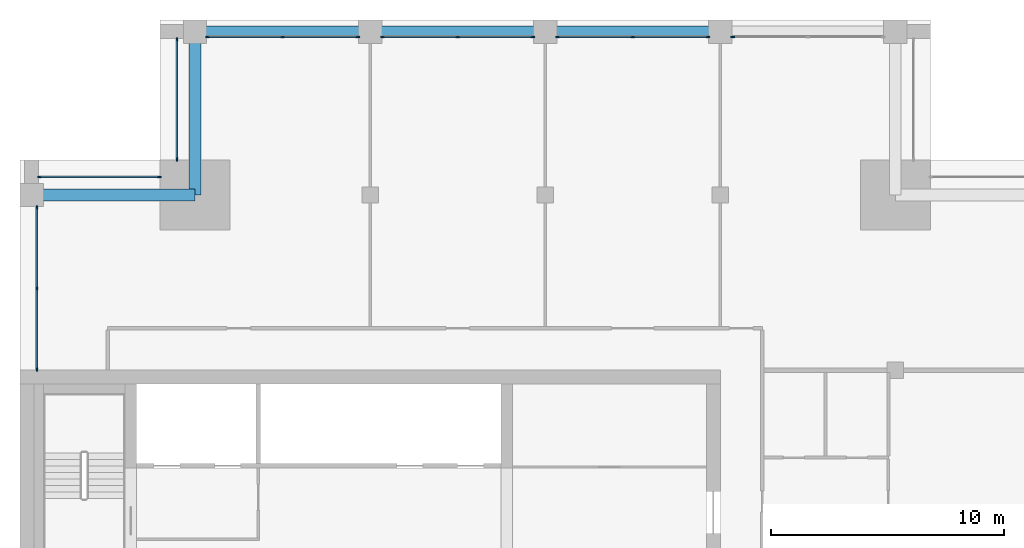
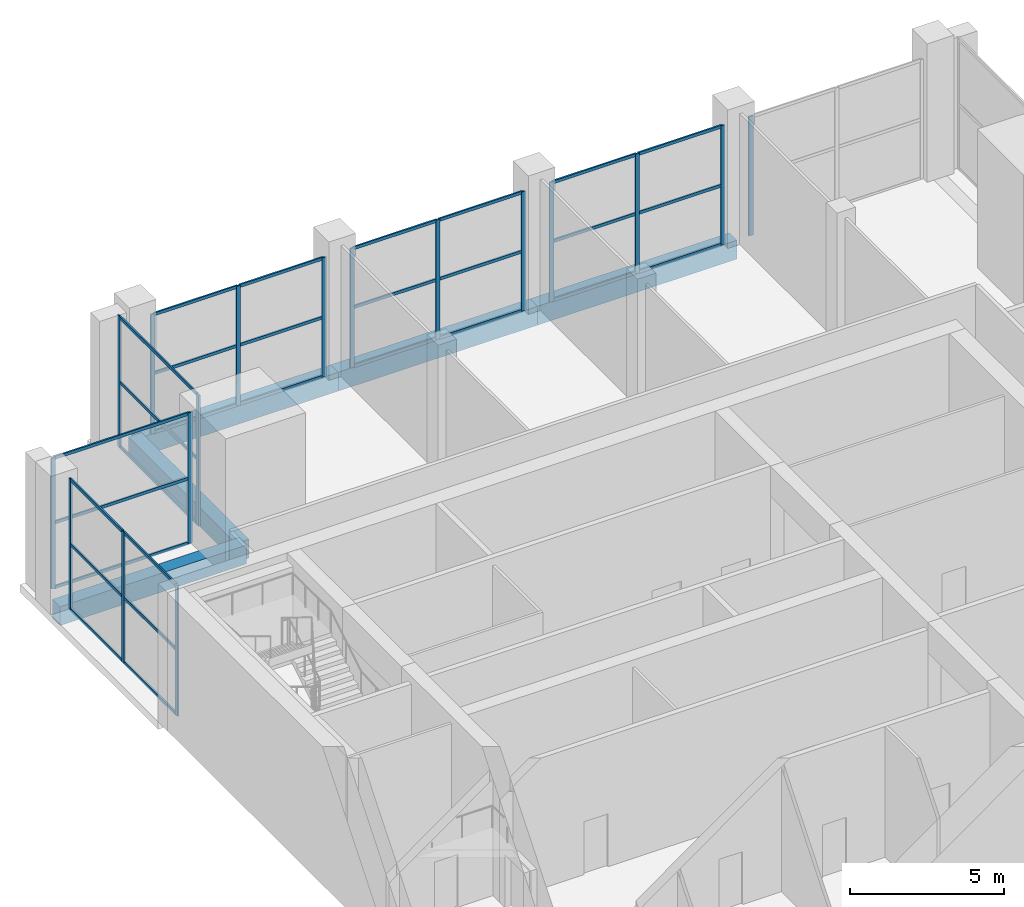
# One storey, part 5 of 15: 47 members, 5 beams, 7 elements without a shape of their own.
"""IFC4 building model written with IfcOpenShell, lengths in metres."""

from ifc_helpers import new_model, si_unit, direction, frame, origin, origin_2d, place, context, subcontext, project, spatial, rectangle, extrude, material, layer, layer_set, material_profile, profile_set, type_object, element, aggregate, save


model = new_model("IFC4")

# Units and contexts
model_context = context("Model", 3, precision=1e-05, world=origin(), true_north=direction((0.0, 1.0)))
body_context = subcontext(model_context, "Body", "Model", "MODEL_VIEW")
ifc_project = project(units=[si_unit("LENGTHUNIT", "METRE"), si_unit("AREAUNIT", "SQUARE_METRE"), si_unit("VOLUMEUNIT", "CUBIC_METRE"), si_unit("PLANEANGLEUNIT", "RADIAN"), si_unit("MASSUNIT", "GRAM", prefix="KILO")], contexts=[model_context])

# Site, building, storey
site_placement = place(None, origin())
site = spatial("IfcSite", under=ifc_project, at=site_placement, CompositionType="ELEMENT")
building_placement = place(site_placement, origin())
building = spatial("IfcBuilding", under=site, at=building_placement, Name="Tamorin Gate", CompositionType="ELEMENT")
storey_placement = place(building_placement, frame((0.0, 0.0, 292.199951171875)))
storey = spatial("IfcBuildingStorey", under=building, at=storey_placement, Name="L73", CompositionType="ELEMENT", Elevation=292.199951171875)

# Curtain wall, member
ifc_material_1 = material(Name="Aluminium mullions and transoms with clear glass", Category="aluminium")
ifc_layer = layer(ifc_material_1, 0.159912109375)
ifc_layer_set = layer_set([ifc_layer], Name="Curtain wall system CW3")
curtain_wall_type = type_object("IfcCurtainWallType", Name="Curtain wall system CW3", PredefinedType="NOTDEFINED", material=ifc_layer_set)
curtain_wall_1_placement = place(storey_placement, origin())
curtain_wall_1 = element("IfcCurtainWall", 1, at=curtain_wall_1_placement, inside=storey, type_object=curtain_wall_type, Name="Curtain wall", PredefinedType="NOTDEFINED")
ifc_material_2 = material(Name="Aluminium", Category="aluminium")
ifc_material_profile_1 = material_profile(ifc_material_2, rectangle(XDim=0.06005859375, YDim=0.159912109375, at=origin_2d()), Name="RECT 60x160")
ifc_profile_set_1 = profile_set([ifc_material_profile_1], Name="Aluminium")
member_type_1 = type_object("IfcMemberType", Name="Aluminium mullion 60x160", PredefinedType="MULLION", material=ifc_profile_set_1)
member_1_placement = place(storey_placement, frame((60.530029296875, 96.780029296875, 0.0), z_axis=(0.0, 0.0, 1.0), x_axis=(0.0, -1.0, 0.0)))
member_1 = element("IfcMember", 2, at=member_1_placement, type_object=member_type_1, Name="CW3 mullion 3", PredefinedType="MULLION", context=body_context, shape_type="SweptSolid", body=[
    extrude(rectangle(XDim=0.06005859375, YDim=0.159912109375, at=origin_2d()), origin(), (0.0, 0.0, 1.0), 4.75),
])
aggregate(curtain_wall_1, [member_1])

# Curtain wall, members
curtain_wall_2_placement = place(storey_placement, origin())
curtain_wall_2 = element("IfcCurtainWall", 3, at=curtain_wall_2_placement, inside=storey, type_object=curtain_wall_type, Name="Curtain wall", PredefinedType="NOTDEFINED")
member_2_placement = place(storey_placement, frame((59.469970703125, 96.780029296875, 0.0), z_axis=(0.0, 0.0, 1.0), x_axis=(0.0, -1.0, 0.0)))
member_2 = element("IfcMember", 4, at=member_2_placement, type_object=member_type_1, Name="CW3 mullion 1", PredefinedType="MULLION", context=body_context, shape_type="SweptSolid", body=[
    extrude(rectangle(XDim=0.06005859375, YDim=0.159912109375, at=origin_2d()), origin(), (0.0, 0.0, 1.0), 4.75),
])
member_3_placement = place(storey_placement, frame((56.25, 96.780029296875, 0.0), z_axis=(0.0, 0.0, 1.0), x_axis=(0.0, -1.0, 0.0)))
member_3 = element("IfcMember", 5, at=member_3_placement, type_object=member_type_1, Name="CW3 mullion 2", PredefinedType="MULLION", context=body_context, shape_type="SweptSolid", body=[
    extrude(rectangle(XDim=0.06005859375, YDim=0.159912109375, at=origin_2d()), origin(), (0.0, 0.0, 1.0), 4.75),
])
member_4_placement = place(storey_placement, frame((53.030029296875, 96.780029296875, 0.0), z_axis=(0.0, 0.0, 1.0), x_axis=(0.0, -1.0, 0.0)))
member_4 = element("IfcMember", 6, at=member_4_placement, type_object=member_type_1, Name="CW3 mullion 3", PredefinedType="MULLION", context=body_context, shape_type="SweptSolid", body=[
    extrude(rectangle(XDim=0.06005859375, YDim=0.159912109375, at=origin_2d()), origin(), (0.0, 0.0, 1.0), 4.75),
])

curtain_wall_3_placement = place(storey_placement, origin())
curtain_wall_3 = element("IfcCurtainWall", 7, at=curtain_wall_3_placement, inside=storey, type_object=curtain_wall_type, Name="Curtain wall", PredefinedType="NOTDEFINED")
member_5_placement = place(storey_placement, frame((51.969970703125, 96.780029296875, 0.0), z_axis=(0.0, 0.0, 1.0), x_axis=(0.0, -1.0, 0.0)))
member_5 = element("IfcMember", 8, at=member_5_placement, type_object=member_type_1, Name="CW3 mullion 1", PredefinedType="MULLION", context=body_context, shape_type="SweptSolid", body=[
    extrude(rectangle(XDim=0.06005859375, YDim=0.159912109375, at=origin_2d()), origin(), (0.0, 0.0, 1.0), 4.75),
])
member_6_placement = place(storey_placement, frame((48.75, 96.780029296875, 0.0), z_axis=(0.0, 0.0, 1.0), x_axis=(0.0, -1.0, 0.0)))
member_6 = element("IfcMember", 9, at=member_6_placement, type_object=member_type_1, Name="CW3 mullion 2", PredefinedType="MULLION", context=body_context, shape_type="SweptSolid", body=[
    extrude(rectangle(XDim=0.06005859375, YDim=0.159912109375, at=origin_2d()), origin(), (0.0, 0.0, 1.0), 4.75),
])
member_7_placement = place(storey_placement, frame((45.530029296875, 96.780029296875, 0.0), z_axis=(0.0, 0.0, 1.0), x_axis=(0.0, -1.0, 0.0)))
member_7 = element("IfcMember", 10, at=member_7_placement, type_object=member_type_1, Name="CW3 mullion 3", PredefinedType="MULLION", context=body_context, shape_type="SweptSolid", body=[
    extrude(rectangle(XDim=0.06005859375, YDim=0.159912109375, at=origin_2d()), origin(), (0.0, 0.0, 1.0), 4.75),
])

curtain_wall_4_placement = place(storey_placement, origin())
curtain_wall_4 = element("IfcCurtainWall", 11, at=curtain_wall_4_placement, inside=storey, type_object=curtain_wall_type, Name="Curtain wall", PredefinedType="NOTDEFINED")
member_8_placement = place(storey_placement, frame((44.469970703125, 96.780029296875, 0.0), z_axis=(0.0, 0.0, 1.0), x_axis=(0.0, -1.0, 0.0)))
member_8 = element("IfcMember", 12, at=member_8_placement, type_object=member_type_1, Name="CW3 mullion 1", PredefinedType="MULLION", context=body_context, shape_type="SweptSolid", body=[
    extrude(rectangle(XDim=0.06005859375, YDim=0.159912109375, at=origin_2d()), origin(), (0.0, 0.0, 1.0), 4.75),
])
member_9_placement = place(storey_placement, frame((41.25, 96.780029296875, 0.0), z_axis=(0.0, 0.0, 1.0), x_axis=(0.0, -1.0, 0.0)))
member_9 = element("IfcMember", 13, at=member_9_placement, type_object=member_type_1, Name="CW3 mullion 2", PredefinedType="MULLION", context=body_context, shape_type="SweptSolid", body=[
    extrude(rectangle(XDim=0.06005859375, YDim=0.159912109375, at=origin_2d()), origin(), (0.0, 0.0, 1.0), 4.75),
])
member_10_placement = place(storey_placement, frame((38.030029296875, 96.780029296875, 0.0), z_axis=(0.0, 0.0, 1.0), x_axis=(0.0, -1.0, 0.0)))
member_10 = element("IfcMember", 14, at=member_10_placement, type_object=member_type_1, Name="CW3 mullion 3", PredefinedType="MULLION", context=body_context, shape_type="SweptSolid", body=[
    extrude(rectangle(XDim=0.06005859375, YDim=0.159912109375, at=origin_2d()), origin(), (0.0, 0.0, 1.0), 4.75),
])

curtain_wall_5_placement = place(storey_placement, origin())
curtain_wall_5 = element("IfcCurtainWall", 15, at=curtain_wall_5_placement, inside=storey, type_object=curtain_wall_type, Name="Curtain wall", PredefinedType="NOTDEFINED")
member_11_placement = place(storey_placement, frame((36.719970703125, 96.669921875, 0.0), z_axis=(0.0, 0.0, 1.0), x_axis=(1.0, 0.0, 0.0)))
member_11 = element("IfcMember", 16, at=member_11_placement, type_object=member_type_1, Name="CW3 mullion 1", PredefinedType="MULLION", context=body_context, shape_type="SweptSolid", body=[
    extrude(rectangle(XDim=0.06005859375, YDim=0.159912109375, at=origin_2d()), origin(), (0.0, 0.0, 1.0), 5.199951171875),
])
member_12_placement = place(storey_placement, frame((36.719970703125, 91.530029296875, 0.0), z_axis=(0.0, 0.0, 1.0), x_axis=(1.0, 0.0, 0.0)))
member_12 = element("IfcMember", 17, at=member_12_placement, type_object=member_type_1, Name="CW3 mullion 2", PredefinedType="MULLION", context=body_context, shape_type="SweptSolid", body=[
    extrude(rectangle(XDim=0.06005859375, YDim=0.159912109375, at=origin_2d()), origin(), (0.0, 0.0, 1.0), 5.199951171875),
])

curtain_wall_6_placement = place(storey_placement, origin())
curtain_wall_6 = element("IfcCurtainWall", 18, at=curtain_wall_6_placement, inside=storey, type_object=curtain_wall_type, Name="Curtain wall", PredefinedType="NOTDEFINED")
member_13_placement = place(storey_placement, frame((35.969970703125, 90.780029296875, 0.0), z_axis=(0.0, 0.0, 1.0), x_axis=(0.0, -1.0, 0.0)))
member_13 = element("IfcMember", 19, at=member_13_placement, type_object=member_type_1, Name="CW3 mullion 1", PredefinedType="MULLION", context=body_context, shape_type="SweptSolid", body=[
    extrude(rectangle(XDim=0.06005859375, YDim=0.159912109375, at=origin_2d()), origin(), (0.0, 0.0, 1.0), 5.199951171875),
])
member_14_placement = place(storey_placement, frame((30.830078125, 90.780029296875, 0.0), z_axis=(0.0, 0.0, 1.0), x_axis=(0.0, -1.0, 0.0)))
member_14 = element("IfcMember", 20, at=member_14_placement, type_object=member_type_1, Name="CW3 mullion 2", PredefinedType="MULLION", context=body_context, shape_type="SweptSolid", body=[
    extrude(rectangle(XDim=0.06005859375, YDim=0.159912109375, at=origin_2d()), origin(), (0.0, 0.0, 1.0), 5.199951171875),
])

curtain_wall_7_placement = place(storey_placement, origin())
curtain_wall_7 = element("IfcCurtainWall", 21, at=curtain_wall_7_placement, inside=storey, type_object=curtain_wall_type, Name="Curtain wall", PredefinedType="NOTDEFINED")
member_15_placement = place(storey_placement, frame((30.719970703125, 89.469970703125, 0.0), z_axis=(0.0, 0.0, 1.0), x_axis=(1.0, 0.0, 0.0)))
member_15 = element("IfcMember", 22, at=member_15_placement, type_object=member_type_1, Name="CW3 mullion 1", PredefinedType="MULLION", context=body_context, shape_type="SweptSolid", body=[
    extrude(rectangle(XDim=0.06005859375, YDim=0.159912109375, at=origin_2d()), origin(), (0.0, 0.0, 1.0), 5.199951171875),
])
member_16_placement = place(storey_placement, frame((30.719970703125, 86.0, 0.0), z_axis=(0.0, 0.0, 1.0), x_axis=(1.0, 0.0, 0.0)))
member_16 = element("IfcMember", 23, at=member_16_placement, type_object=member_type_1, Name="CW3 mullion 2", PredefinedType="MULLION", context=body_context, shape_type="SweptSolid", body=[
    extrude(rectangle(XDim=0.06005859375, YDim=0.159912109375, at=origin_2d()), origin(), (0.0, 0.0, 1.0), 5.199951171875),
])
member_17_placement = place(storey_placement, frame((30.719970703125, 82.530029296875, 0.0), z_axis=(0.0, 0.0, 1.0), x_axis=(1.0, 0.0, 0.0)))
member_17 = element("IfcMember", 24, at=member_17_placement, type_object=member_type_1, Name="CW3 mullion 3", PredefinedType="MULLION", context=body_context, shape_type="SweptSolid", body=[
    extrude(rectangle(XDim=0.06005859375, YDim=0.159912109375, at=origin_2d()), origin(), (0.0, 0.0, 1.0), 5.199951171875),
])

# Member
ifc_material_profile_2 = material_profile(ifc_material_2, rectangle(XDim=0.06005859375, YDim=0.1201171875, at=origin_2d()), Name="RECT 60x120")
ifc_profile_set_2 = profile_set([ifc_material_profile_2], Name="Aluminium")
member_type_2 = type_object("IfcMemberType", Name="Aluminium transom 60x120", PredefinedType="USERDEFINED", material=ifc_profile_set_2)
member_18_placement = place(storey_placement, frame((59.43994140625, 96.780029296875, 0.030029296875), z_axis=(-1.0, 0.0, 0.0), x_axis=(0.0, -1.0, 0.0)))
member_18 = element("IfcMember", 25, at=member_18_placement, type_object=member_type_2, Name="CW3 transom 1.1", ObjectType="TRANSOM", PredefinedType="USERDEFINED", context=body_context, shape_type="SweptSolid", body=[
    extrude(rectangle(XDim=0.06005859375, YDim=0.1201171875, at=origin_2d()), origin(), (0.0, 0.0, 1.0), 3.159912109375),
])

member_19_placement = place(storey_placement, frame((59.43994140625, 96.780029296875, 2.375), z_axis=(-1.0, 0.0, 0.0), x_axis=(0.0, -1.0, 0.0)))
member_19 = element("IfcMember", 26, at=member_19_placement, type_object=member_type_2, Name="CW3 transom 1.2", ObjectType="TRANSOM", PredefinedType="USERDEFINED", context=body_context, shape_type="SweptSolid", body=[
    extrude(rectangle(XDim=0.06005859375, YDim=0.1201171875, at=origin_2d()), origin(), (0.0, 0.0, 1.0), 3.159912109375),
])

member_20_placement = place(storey_placement, frame((59.43994140625, 96.780029296875, 4.719970703125), z_axis=(-1.0, 0.0, 0.0), x_axis=(0.0, -1.0, 0.0)))
member_20 = element("IfcMember", 27, at=member_20_placement, type_object=member_type_2, Name="CW3 transom 1.3", ObjectType="TRANSOM", PredefinedType="USERDEFINED", context=body_context, shape_type="SweptSolid", body=[
    extrude(rectangle(XDim=0.06005859375, YDim=0.1201171875, at=origin_2d()), origin(), (0.0, 0.0, 1.0), 3.159912109375),
])

member_21_placement = place(storey_placement, frame((56.219970703125, 96.780029296875, 0.030029296875), z_axis=(-1.0, 0.0, 0.0), x_axis=(0.0, -1.0, 0.0)))
member_21 = element("IfcMember", 28, at=member_21_placement, type_object=member_type_2, Name="CW3 transom 2.1", ObjectType="TRANSOM", PredefinedType="USERDEFINED", context=body_context, shape_type="SweptSolid", body=[
    extrude(rectangle(XDim=0.06005859375, YDim=0.1201171875, at=origin_2d()), origin(), (0.0, 0.0, 1.0), 3.159912109375),
])

member_22_placement = place(storey_placement, frame((56.219970703125, 96.780029296875, 2.375), z_axis=(-1.0, 0.0, 0.0), x_axis=(0.0, -1.0, 0.0)))
member_22 = element("IfcMember", 29, at=member_22_placement, type_object=member_type_2, Name="CW3 transom 2.2", ObjectType="TRANSOM", PredefinedType="USERDEFINED", context=body_context, shape_type="SweptSolid", body=[
    extrude(rectangle(XDim=0.06005859375, YDim=0.1201171875, at=origin_2d()), origin(), (0.0, 0.0, 1.0), 3.159912109375),
])

member_23_placement = place(storey_placement, frame((56.219970703125, 96.780029296875, 4.719970703125), z_axis=(-1.0, 0.0, 0.0), x_axis=(0.0, -1.0, 0.0)))
member_23 = element("IfcMember", 30, at=member_23_placement, type_object=member_type_2, Name="CW3 transom 2.3", ObjectType="TRANSOM", PredefinedType="USERDEFINED", context=body_context, shape_type="SweptSolid", body=[
    extrude(rectangle(XDim=0.06005859375, YDim=0.1201171875, at=origin_2d()), origin(), (0.0, 0.0, 1.0), 3.159912109375),
])

aggregate(curtain_wall_2, [member_2, member_3, member_4, member_18, member_19, member_20, member_21, member_22, member_23])

member_24_placement = place(storey_placement, frame((51.93994140625, 96.780029296875, 0.030029296875), z_axis=(-1.0, 0.0, 0.0), x_axis=(0.0, -1.0, 0.0)))
member_24 = element("IfcMember", 31, at=member_24_placement, type_object=member_type_2, Name="CW3 transom 1.1", ObjectType="TRANSOM", PredefinedType="USERDEFINED", context=body_context, shape_type="SweptSolid", body=[
    extrude(rectangle(XDim=0.06005859375, YDim=0.1201171875, at=origin_2d()), origin(), (0.0, 0.0, 1.0), 3.159912109375),
])

member_25_placement = place(storey_placement, frame((51.93994140625, 96.780029296875, 2.375), z_axis=(-1.0, 0.0, 0.0), x_axis=(0.0, -1.0, 0.0)))
member_25 = element("IfcMember", 32, at=member_25_placement, type_object=member_type_2, Name="CW3 transom 1.2", ObjectType="TRANSOM", PredefinedType="USERDEFINED", context=body_context, shape_type="SweptSolid", body=[
    extrude(rectangle(XDim=0.06005859375, YDim=0.1201171875, at=origin_2d()), origin(), (0.0, 0.0, 1.0), 3.159912109375),
])

member_26_placement = place(storey_placement, frame((51.93994140625, 96.780029296875, 4.719970703125), z_axis=(-1.0, 0.0, 0.0), x_axis=(0.0, -1.0, 0.0)))
member_26 = element("IfcMember", 33, at=member_26_placement, type_object=member_type_2, Name="CW3 transom 1.3", ObjectType="TRANSOM", PredefinedType="USERDEFINED", context=body_context, shape_type="SweptSolid", body=[
    extrude(rectangle(XDim=0.06005859375, YDim=0.1201171875, at=origin_2d()), origin(), (0.0, 0.0, 1.0), 3.159912109375),
])

member_27_placement = place(storey_placement, frame((48.719970703125, 96.780029296875, 0.030029296875), z_axis=(-1.0, 0.0, 0.0), x_axis=(0.0, -1.0, 0.0)))
member_27 = element("IfcMember", 34, at=member_27_placement, type_object=member_type_2, Name="CW3 transom 2.1", ObjectType="TRANSOM", PredefinedType="USERDEFINED", context=body_context, shape_type="SweptSolid", body=[
    extrude(rectangle(XDim=0.06005859375, YDim=0.1201171875, at=origin_2d()), origin(), (0.0, 0.0, 1.0), 3.159912109375),
])

member_28_placement = place(storey_placement, frame((48.719970703125, 96.780029296875, 2.375), z_axis=(-1.0, 0.0, 0.0), x_axis=(0.0, -1.0, 0.0)))
member_28 = element("IfcMember", 35, at=member_28_placement, type_object=member_type_2, Name="CW3 transom 2.2", ObjectType="TRANSOM", PredefinedType="USERDEFINED", context=body_context, shape_type="SweptSolid", body=[
    extrude(rectangle(XDim=0.06005859375, YDim=0.1201171875, at=origin_2d()), origin(), (0.0, 0.0, 1.0), 3.159912109375),
])

member_29_placement = place(storey_placement, frame((48.719970703125, 96.780029296875, 4.719970703125), z_axis=(-1.0, 0.0, 0.0), x_axis=(0.0, -1.0, 0.0)))
member_29 = element("IfcMember", 36, at=member_29_placement, type_object=member_type_2, Name="CW3 transom 2.3", ObjectType="TRANSOM", PredefinedType="USERDEFINED", context=body_context, shape_type="SweptSolid", body=[
    extrude(rectangle(XDim=0.06005859375, YDim=0.1201171875, at=origin_2d()), origin(), (0.0, 0.0, 1.0), 3.159912109375),
])

aggregate(curtain_wall_3, [member_5, member_6, member_7, member_24, member_25, member_26, member_27, member_28, member_29])

member_30_placement = place(storey_placement, frame((44.43994140625, 96.780029296875, 0.030029296875), z_axis=(-1.0, 0.0, 0.0), x_axis=(0.0, -1.0, 0.0)))
member_30 = element("IfcMember", 37, at=member_30_placement, type_object=member_type_2, Name="CW3 transom 1.1", ObjectType="TRANSOM", PredefinedType="USERDEFINED", context=body_context, shape_type="SweptSolid", body=[
    extrude(rectangle(XDim=0.06005859375, YDim=0.1201171875, at=origin_2d()), origin(), (0.0, 0.0, 1.0), 3.159912109375),
])

member_31_placement = place(storey_placement, frame((44.43994140625, 96.780029296875, 2.375), z_axis=(-1.0, 0.0, 0.0), x_axis=(0.0, -1.0, 0.0)))
member_31 = element("IfcMember", 38, at=member_31_placement, type_object=member_type_2, Name="CW3 transom 1.2", ObjectType="TRANSOM", PredefinedType="USERDEFINED", context=body_context, shape_type="SweptSolid", body=[
    extrude(rectangle(XDim=0.06005859375, YDim=0.1201171875, at=origin_2d()), origin(), (0.0, 0.0, 1.0), 3.159912109375),
])

member_32_placement = place(storey_placement, frame((44.43994140625, 96.780029296875, 4.719970703125), z_axis=(-1.0, 0.0, 0.0), x_axis=(0.0, -1.0, 0.0)))
member_32 = element("IfcMember", 39, at=member_32_placement, type_object=member_type_2, Name="CW3 transom 1.3", ObjectType="TRANSOM", PredefinedType="USERDEFINED", context=body_context, shape_type="SweptSolid", body=[
    extrude(rectangle(XDim=0.06005859375, YDim=0.1201171875, at=origin_2d()), origin(), (0.0, 0.0, 1.0), 3.159912109375),
])

member_33_placement = place(storey_placement, frame((41.219970703125, 96.780029296875, 0.030029296875), z_axis=(-1.0, 0.0, 0.0), x_axis=(0.0, -1.0, 0.0)))
member_33 = element("IfcMember", 40, at=member_33_placement, type_object=member_type_2, Name="CW3 transom 2.1", ObjectType="TRANSOM", PredefinedType="USERDEFINED", context=body_context, shape_type="SweptSolid", body=[
    extrude(rectangle(XDim=0.06005859375, YDim=0.1201171875, at=origin_2d()), origin(), (0.0, 0.0, 1.0), 3.159912109375),
])

member_34_placement = place(storey_placement, frame((41.219970703125, 96.780029296875, 2.375), z_axis=(-1.0, 0.0, 0.0), x_axis=(0.0, -1.0, 0.0)))
member_34 = element("IfcMember", 41, at=member_34_placement, type_object=member_type_2, Name="CW3 transom 2.2", ObjectType="TRANSOM", PredefinedType="USERDEFINED", context=body_context, shape_type="SweptSolid", body=[
    extrude(rectangle(XDim=0.06005859375, YDim=0.1201171875, at=origin_2d()), origin(), (0.0, 0.0, 1.0), 3.159912109375),
])

member_35_placement = place(storey_placement, frame((41.219970703125, 96.780029296875, 4.719970703125), z_axis=(-1.0, 0.0, 0.0), x_axis=(0.0, -1.0, 0.0)))
member_35 = element("IfcMember", 42, at=member_35_placement, type_object=member_type_2, Name="CW3 transom 2.3", ObjectType="TRANSOM", PredefinedType="USERDEFINED", context=body_context, shape_type="SweptSolid", body=[
    extrude(rectangle(XDim=0.06005859375, YDim=0.1201171875, at=origin_2d()), origin(), (0.0, 0.0, 1.0), 3.159912109375),
])

aggregate(curtain_wall_4, [member_8, member_9, member_10, member_30, member_31, member_32, member_33, member_34, member_35])

member_36_placement = place(storey_placement, frame((36.719970703125, 96.639892578125, 0.030029296875), z_axis=(0.0, -1.0, 0.0), x_axis=(1.0, 0.0, 0.0)))
member_36 = element("IfcMember", 43, at=member_36_placement, type_object=member_type_2, Name="CW3 transom 1.1", ObjectType="TRANSOM", PredefinedType="USERDEFINED", context=body_context, shape_type="SweptSolid", body=[
    extrude(rectangle(XDim=0.06005859375, YDim=0.1201171875, at=origin_2d()), origin(), (0.0, 0.0, 1.0), 5.079833984375),
])

member_37_placement = place(storey_placement, frame((36.719970703125, 96.639892578125, 2.60009765625), z_axis=(0.0, -1.0, 0.0), x_axis=(1.0, 0.0, 0.0)))
member_37 = element("IfcMember", 44, at=member_37_placement, type_object=member_type_2, Name="CW3 transom 1.2", ObjectType="TRANSOM", PredefinedType="USERDEFINED", context=body_context, shape_type="SweptSolid", body=[
    extrude(rectangle(XDim=0.06005859375, YDim=0.1201171875, at=origin_2d()), origin(), (0.0, 0.0, 1.0), 5.079833984375),
])

member_38_placement = place(storey_placement, frame((36.719970703125, 96.639892578125, 5.170166015625), z_axis=(0.0, -1.0, 0.0), x_axis=(1.0, 0.0, 0.0)))
member_38 = element("IfcMember", 45, at=member_38_placement, type_object=member_type_2, Name="CW3 transom 1.3", ObjectType="TRANSOM", PredefinedType="USERDEFINED", context=body_context, shape_type="SweptSolid", body=[
    extrude(rectangle(XDim=0.06005859375, YDim=0.1201171875, at=origin_2d()), origin(), (0.0, 0.0, 1.0), 5.079833984375),
])

aggregate(curtain_wall_5, [member_11, member_12, member_36, member_37, member_38])

member_39_placement = place(storey_placement, frame((35.93994140625, 90.780029296875, 0.030029296875), z_axis=(-1.0, 0.0, 0.0), x_axis=(0.0, -1.0, 0.0)))
member_39 = element("IfcMember", 46, at=member_39_placement, type_object=member_type_2, Name="CW3 transom 1.1", ObjectType="TRANSOM", PredefinedType="USERDEFINED", context=body_context, shape_type="SweptSolid", body=[
    extrude(rectangle(XDim=0.06005859375, YDim=0.1201171875, at=origin_2d()), origin(), (0.0, 0.0, 1.0), 5.079833984375),
])

member_40_placement = place(storey_placement, frame((35.93994140625, 90.780029296875, 2.60009765625), z_axis=(-1.0, 0.0, 0.0), x_axis=(0.0, -1.0, 0.0)))
member_40 = element("IfcMember", 47, at=member_40_placement, type_object=member_type_2, Name="CW3 transom 1.2", ObjectType="TRANSOM", PredefinedType="USERDEFINED", context=body_context, shape_type="SweptSolid", body=[
    extrude(rectangle(XDim=0.06005859375, YDim=0.1201171875, at=origin_2d()), origin(), (0.0, 0.0, 1.0), 5.079833984375),
])

member_41_placement = place(storey_placement, frame((35.93994140625, 90.780029296875, 5.170166015625), z_axis=(-1.0, 0.0, 0.0), x_axis=(0.0, -1.0, 0.0)))
member_41 = element("IfcMember", 48, at=member_41_placement, type_object=member_type_2, Name="CW3 transom 1.3", ObjectType="TRANSOM", PredefinedType="USERDEFINED", context=body_context, shape_type="SweptSolid", body=[
    extrude(rectangle(XDim=0.06005859375, YDim=0.1201171875, at=origin_2d()), origin(), (0.0, 0.0, 1.0), 5.079833984375),
])

aggregate(curtain_wall_6, [member_13, member_14, member_39, member_40, member_41])

member_42_placement = place(storey_placement, frame((30.719970703125, 89.43994140625, 0.030029296875), z_axis=(0.0, -1.0, 0.0), x_axis=(1.0, 0.0, 0.0)))
member_42 = element("IfcMember", 49, at=member_42_placement, type_object=member_type_2, Name="CW3 transom 1.1", ObjectType="TRANSOM", PredefinedType="USERDEFINED", context=body_context, shape_type="SweptSolid", body=[
    extrude(rectangle(XDim=0.06005859375, YDim=0.1201171875, at=origin_2d()), origin(), (0.0, 0.0, 1.0), 3.409912109375),
])

member_43_placement = place(storey_placement, frame((30.719970703125, 89.43994140625, 2.60009765625), z_axis=(0.0, -1.0, 0.0), x_axis=(1.0, 0.0, 0.0)))
member_43 = element("IfcMember", 50, at=member_43_placement, type_object=member_type_2, Name="CW3 transom 1.2", ObjectType="TRANSOM", PredefinedType="USERDEFINED", context=body_context, shape_type="SweptSolid", body=[
    extrude(rectangle(XDim=0.06005859375, YDim=0.1201171875, at=origin_2d()), origin(), (0.0, 0.0, 1.0), 3.409912109375),
])

member_44_placement = place(storey_placement, frame((30.719970703125, 89.43994140625, 5.170166015625), z_axis=(0.0, -1.0, 0.0), x_axis=(1.0, 0.0, 0.0)))
member_44 = element("IfcMember", 51, at=member_44_placement, type_object=member_type_2, Name="CW3 transom 1.3", ObjectType="TRANSOM", PredefinedType="USERDEFINED", context=body_context, shape_type="SweptSolid", body=[
    extrude(rectangle(XDim=0.06005859375, YDim=0.1201171875, at=origin_2d()), origin(), (0.0, 0.0, 1.0), 3.409912109375),
])

member_45_placement = place(storey_placement, frame((30.719970703125, 85.969970703125, 0.030029296875), z_axis=(0.0, -1.0, 0.0), x_axis=(1.0, 0.0, 0.0)))
member_45 = element("IfcMember", 52, at=member_45_placement, type_object=member_type_2, Name="CW3 transom 2.1", ObjectType="TRANSOM", PredefinedType="USERDEFINED", context=body_context, shape_type="SweptSolid", body=[
    extrude(rectangle(XDim=0.06005859375, YDim=0.1201171875, at=origin_2d()), origin(), (0.0, 0.0, 1.0), 3.409912109375),
])

member_46_placement = place(storey_placement, frame((30.719970703125, 85.969970703125, 2.60009765625), z_axis=(0.0, -1.0, 0.0), x_axis=(1.0, 0.0, 0.0)))
member_46 = element("IfcMember", 53, at=member_46_placement, type_object=member_type_2, Name="CW3 transom 2.2", ObjectType="TRANSOM", PredefinedType="USERDEFINED", context=body_context, shape_type="SweptSolid", body=[
    extrude(rectangle(XDim=0.06005859375, YDim=0.1201171875, at=origin_2d()), origin(), (0.0, 0.0, 1.0), 3.409912109375),
])

member_47_placement = place(storey_placement, frame((30.719970703125, 85.969970703125, 5.170166015625), z_axis=(0.0, -1.0, 0.0), x_axis=(1.0, 0.0, 0.0)))
member_47 = element("IfcMember", 54, at=member_47_placement, type_object=member_type_2, Name="CW3 transom 2.3", ObjectType="TRANSOM", PredefinedType="USERDEFINED", context=body_context, shape_type="SweptSolid", body=[
    extrude(rectangle(XDim=0.06005859375, YDim=0.1201171875, at=origin_2d()), origin(), (0.0, 0.0, 1.0), 3.409912109375),
])

aggregate(curtain_wall_7, [member_15, member_16, member_17, member_42, member_43, member_44, member_45, member_46, member_47])

# Beams
ifc_material_3 = material(Name="Concrete C50/60", Category="concrete")
ifc_material_profile_3 = material_profile(ifc_material_3, rectangle(XDim=0.5, YDim=0.75, at=origin_2d()), Name="RC 500x750")
ifc_profile_set_3 = profile_set([ifc_material_profile_3], Name="Concrete C50/60")
beam_type = type_object("IfcBeamType", Name="RC spandrel 500x750 C50/60", PredefinedType="BEAM", material=ifc_profile_set_3)
for number, where, z_axis, x_axis, name in (
    (55, (60.0, 97.0, -0.375), (-1.0, 0.0, 0.0), (0.0, -1.0, 0.0), "Spandrel beam L73"),
    (56, (52.5, 97.0, -0.375), (-1.0, 0.0, 0.0), (0.0, -1.0, 0.0), "Spandrel beam L73"),
    (57, (45.0, 97.0, -0.375), (-1.0, 0.0, 0.0), (0.0, -1.0, 0.0), "Spandrel beam L73"),
):
    element("IfcBeam", number, at=place(storey_placement, frame(where, z_axis=z_axis, x_axis=x_axis)), inside=storey, type_object=beam_type, Name=name, PredefinedType="BEAM", context=body_context, shape_type="SweptSolid", body=[
        extrude(rectangle(XDim=0.5, YDim=0.75, at=origin_2d()), origin(), (0.0, 0.0, 1.0), 7.5),
    ])
for number, where, z_axis, x_axis, name in (
    (58, (37.5, 90.0, -0.375), (-1.0, 0.0, 0.0), (0.0, -1.0, 0.0), "Corner tie beam L73"),
    (59, (37.5, 90.0, -0.375), (0.0, 1.0, 0.0), (-1.0, 0.0, 0.0), "Corner tie beam L73"),
):
    element("IfcBeam", number, at=place(storey_placement, frame(where, z_axis=z_axis, x_axis=x_axis)), inside=storey, type_object=beam_type, Name=name, PredefinedType="BEAM", context=body_context, shape_type="SweptSolid", body=[
        extrude(rectangle(XDim=0.5, YDim=0.75, at=origin_2d()), origin(), (0.0, 0.0, 1.0), 7.0),
    ])

save(model, "model.ifc")
